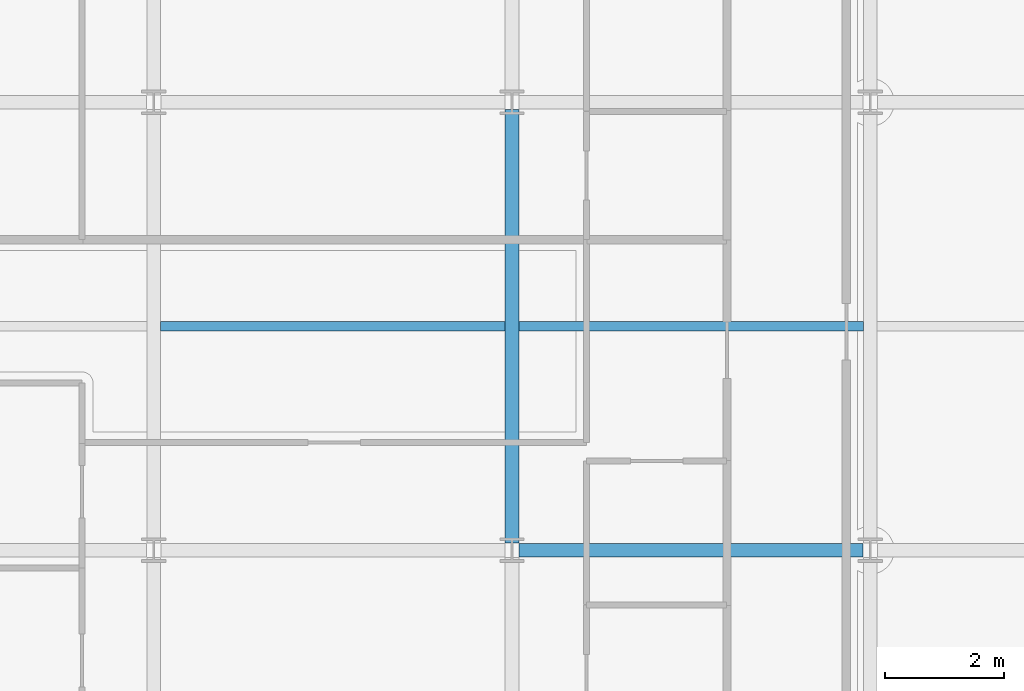
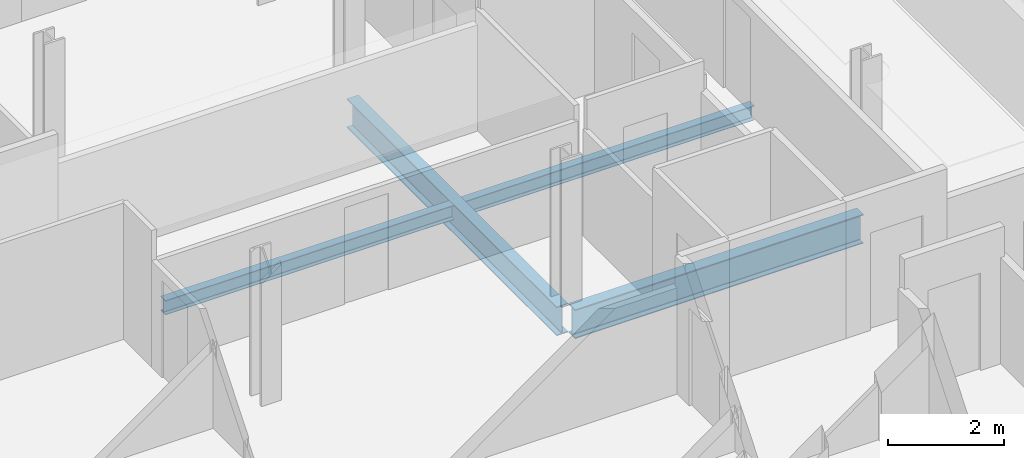
# One storey, part 8 of 41: 4 beams.
"""IFC4 building model written with IfcOpenShell, lengths in metres."""

import ifcopenshell
import ifcopenshell.guid

model = None  # the IFC model being written
_history = None  # IfcOwnerHistory: only IFC2X3 demands one
_inside = {}  # id of a spatial element -> (the spatial element, [elements in it])
_under = {}  # id of a project, library or spatial element -> (it, [spatial elements below it])
_declared = {}  # id of a project -> (the project, [libraries it declares])
_typed = {}  # id of a type object -> (the type object, [elements of that type])
_made_of = {}  # id of a material, layer set ... -> (it, [elements and type objects made of it])


def new_model(schema):
    """Start an empty IFC model of exactly this schema.

    Asked for "IFC4X3", IfcOpenShell would pick the latest addendum, in which some entities
    have other attributes; the version numbers below select the first issue.
    IFC2X3 requires an IfcOwnerHistory on every rooted entity: one is made here for all.
    """
    global model, _history
    if schema == "IFC4X3":
        model = ifcopenshell.file(schema_version=(4, 3, 0, 0))
    else:
        model = ifcopenshell.file(schema=schema)
    _inside.clear()
    _under.clear()
    _declared.clear()
    _typed.clear()
    _made_of.clear()
    _history = None
    if model.schema == "IFC2X3":
        org = make("IfcOrganization", Name="unknown")
        user = make(
            "IfcPersonAndOrganization",
            ThePerson=make("IfcPerson", FamilyName="unknown"),
            TheOrganization=org,
        )
        app = make(
            "IfcApplication",
            ApplicationDeveloper=org,
            Version="unknown",
            ApplicationFullName="unknown",
            ApplicationIdentifier="unknown",
        )
        _history = make(
            "IfcOwnerHistory",
            OwningUser=user,
            OwningApplication=app,
            ChangeAction="ADDED",
            CreationDate=0,
        )
    return model


def make(cls, **values):
    """One entity of the class cls with the attributes given. An attribute that is None is left unset."""
    return model.create_entity(
        cls, **{name: value for name, value in values.items() if value is not None}
    )


def rooted(cls, **values):
    """An entity with a GlobalId (a new one), such as an element, a storey or a relation."""
    return make(cls, GlobalId=ifcopenshell.guid.new(), OwnerHistory=_history, **values)


def si_unit(unit_type, name, prefix=None):
    """IfcSIUnit, for example si_unit("LENGTHUNIT", "METRE", prefix="MILLI")."""
    return make("IfcSIUnit", UnitType=unit_type, Prefix=prefix, Name=name)


def assignment(units):
    """IfcUnitAssignment: the units of a project."""
    return None if units is None else make("IfcUnitAssignment", Units=units)


def point(xyz):
    """IfcCartesianPoint."""
    return None if xyz is None else make("IfcCartesianPoint", Coordinates=xyz)


def direction(xyz):
    """IfcDirection."""
    return None if xyz is None else make("IfcDirection", DirectionRatios=xyz)


def frame(location, z_axis=None, x_axis=None):
    """IfcAxis2Placement3D, a coordinate frame: its origin and axes. An axis left out is left unset."""
    return make(
        "IfcAxis2Placement3D",
        Location=point(location),
        Axis=direction(z_axis),
        RefDirection=direction(x_axis),
    )


def frame_2d(location, x_axis=None):
    """IfcAxis2Placement2D, a coordinate frame in the plane: its origin and x axis."""
    return make(
        "IfcAxis2Placement2D", Location=point(location), RefDirection=direction(x_axis)
    )


def origin():
    """The frame at (0, 0, 0) with its axes left unset."""
    return frame((0.0, 0.0, 0.0))


def origin_2d():
    """The frame at (0, 0) in the plane with its x axis left unset."""
    return frame_2d((0.0, 0.0))


def place(relative_to, where):
    """IfcLocalPlacement: puts the frame where relative to a parent placement (None: the world)."""
    return make(
        "IfcLocalPlacement", PlacementRelTo=relative_to, RelativePlacement=where
    )


def context(
    kind, dimensions, precision=None, world=None, true_north=None, identifier=None
):
    """IfcGeometricRepresentationContext, for example the 3D "Model" context."""
    return make(
        "IfcGeometricRepresentationContext",
        ContextIdentifier=identifier,
        ContextType=kind,
        CoordinateSpaceDimension=dimensions,
        Precision=precision,
        WorldCoordinateSystem=world,
        TrueNorth=true_north,
    )


def subcontext(parent, identifier, kind, view, scale=None):
    """IfcGeometricRepresentationSubContext, for example "Body" below "Model"."""
    return make(
        "IfcGeometricRepresentationSubContext",
        ContextIdentifier=identifier,
        ContextType=kind,
        ParentContext=parent,
        TargetScale=scale,
        TargetView=view,
    )


def project(units=None, contexts=None):
    """IfcProject with its units and contexts."""
    return rooted(
        "IfcProject",
        Name="project",
        RepresentationContexts=contexts,
        UnitsInContext=assignment(units),
    )


def spatial(cls, under=None, at=None, **own):
    """A site, building, storey or space (cls), placed at a placement, below another one or the project."""
    s = rooted(cls, ObjectPlacement=at, **own)
    if under is not None:
        _under.setdefault(under.id(), (under, []))[1].append(s)
    return s


def profile(cls, at=None, kind="AREA", **sizes):
    """A parametric profile (cls). Its sizes go by their IFC names, for example OverallWidth=200.0."""
    return make(cls, ProfileType=kind, Position=at, **sizes)


def i_section(**sizes):
    """IfcIShapeProfileDef."""
    return profile("IfcIShapeProfileDef", **sizes)


def extrude(swept, where, along, depth):
    """IfcExtrudedAreaSolid: the profile swept, set in the frame where, extruded along a direction by depth."""
    return make(
        "IfcExtrudedAreaSolid",
        SweptArea=swept,
        Position=where,
        ExtrudedDirection=direction(along),
        Depth=depth,
    )


def shape(context_of_items, identifier, shape_type, items):
    """IfcShapeRepresentation: the items that make up one representation, for example the "Body"."""
    return make(
        "IfcShapeRepresentation",
        ContextOfItems=context_of_items,
        RepresentationIdentifier=identifier,
        RepresentationType=shape_type,
        Items=items,
    )


def material(Name=None, Category=None):
    """IfcMaterial."""
    return make("IfcMaterial", Name=Name, Category=Category)


def material_profile(
    of_material, cross_section, Name=None, Category=None, Priority=None
):
    """IfcMaterialProfile: a cross section and its material."""
    return make(
        "IfcMaterialProfile",
        Name=Name,
        Material=of_material,
        Profile=cross_section,
        Priority=Priority,
        Category=Category,
    )


def profile_set(profiles, Name=None, composite=None):
    """IfcMaterialProfileSet."""
    return make(
        "IfcMaterialProfileSet",
        Name=Name,
        MaterialProfiles=profiles,
        CompositeProfile=composite,
    )


def made_of(thing, what):
    """Note that an element or type object is made of a material, layer set ...; save() writes the relation."""
    if what is not None:
        _made_of.setdefault(what.id(), (what, []))[1].append(thing)
    return thing


def type_object(cls, material=None, **own):
    """A type object (cls), such as IfcWallType, which elements share."""
    return made_of(rooted(cls, **own), material)


def element(
    cls,
    number,
    at=None,
    inside=None,
    cuts=None,
    type_object=None,
    material=None,
    context=None,
    identifier="Body",
    shape_type=None,
    held_by="IfcProductDefinitionShape",
    body=None,
    shapes=None,
    **own,
):
    """One element of the class cls, such as IfcWall. Its Tag is "e" and its number.

    at: its placement. inside: the storey or other place that contains it. cuts: it is an
    opening in that element (IfcRelVoidsElement). A single representation is given by context,
    identifier, shape_type and body (its items); several are given by shapes. held_by: the class
    of the entity that holds the representations. save() writes the other relations.
    """
    e = rooted(cls, Tag="e%d" % number, ObjectPlacement=at, **own)
    if body is not None:
        shapes = [shape(context, identifier, shape_type, body)]
    if shapes is not None:
        e.Representation = make(held_by, Representations=shapes)
    if inside is not None:
        _inside.setdefault(inside.id(), (inside, []))[1].append(e)
    if cuts is not None:
        rooted(
            "IfcRelVoidsElement", RelatingBuildingElement=cuts, RelatedOpeningElement=e
        )
    if type_object is not None:
        _typed.setdefault(type_object.id(), (type_object, []))[1].append(e)
    return made_of(e, material)


def aggregate(whole, parts):
    """IfcRelAggregates: a whole, such as a stair, and the parts it consists of."""
    return rooted("IfcRelAggregates", RelatingObject=whole, RelatedObjects=parts)


def save(model, path):
    """Write the relations noted so far, then the file.

    IfcRelAggregates (storeys below a building ...), IfcRelContainedInSpatialStructure (elements
    in a storey), IfcRelDefinesByType, IfcRelAssociatesMaterial and IfcRelDeclares: one each for
    every whole, place, type object, material and project.
    """
    for whole, parts in _under.values():
        aggregate(whole, parts)
    for where, things in _inside.values():
        rooted(
            "IfcRelContainedInSpatialStructure",
            RelatedElements=things,
            RelatingStructure=where,
        )
    for kind, things in _typed.values():
        rooted("IfcRelDefinesByType", RelatedObjects=things, RelatingType=kind)
    for what, things in _made_of.values():
        rooted("IfcRelAssociatesMaterial", RelatedObjects=things, RelatingMaterial=what)
    for by, libraries in _declared.values():
        rooted("IfcRelDeclares", RelatingContext=by, RelatedDefinitions=libraries)
    model.write(path)


model = new_model("IFC4")

# Units and contexts
model_context = context("Model", 3, precision=1e-05, world=origin(), true_north=direction((0.0, 1.0)))
body_context = subcontext(model_context, "Body", "Model", "MODEL_VIEW")
ifc_project = project(units=[si_unit("LENGTHUNIT", "METRE"), si_unit("AREAUNIT", "SQUARE_METRE"), si_unit("VOLUMEUNIT", "CUBIC_METRE"), si_unit("PLANEANGLEUNIT", "RADIAN"), si_unit("MASSUNIT", "GRAM", prefix="KILO")], contexts=[model_context])

# Site, building, storey
site_placement = place(None, origin())
site = spatial("IfcSite", under=ifc_project, at=site_placement, CompositionType="ELEMENT")
building_placement = place(site_placement, origin())
building = spatial("IfcBuilding", under=site, at=building_placement, Name="Brevholm Reach", CompositionType="ELEMENT")
storey_placement = place(building_placement, frame((0.0, 0.0, 163.5)))
storey = spatial("IfcBuildingStorey", under=building, at=storey_placement, Name="L49", CompositionType="ELEMENT", Elevation=163.5)

# Beams
ifc_material_1 = material(Name="Structural Steel S355J2", Category="steel")
ifc_material_profile_1 = material_profile(ifc_material_1, i_section(OverallWidth=0.1650390625, OverallDepth=0.303466796875, WebThickness=0.006103515625, FlangeThickness=0.01025390625, FilletRadius=0.0087890625, at=origin_2d()), Name="UKB 305x165x40")
ifc_profile_set_1 = profile_set([ifc_material_profile_1], Name="Structural Steel S355J2")
beam_type_1 = type_object("IfcBeamType", Name="BM-B305", PredefinedType="BEAM", material=ifc_profile_set_1)
for number, where, z_axis, x_axis, name in (
    (1, (6.114501953125, 19.75, -0.37158203125), (1.0, 0.0, 0.0), (0.0, 1.0, 0.0), "L49 Composite Secondary Floor Beam"),
    (2, (12.114501953125, 19.75, -0.37158203125), (1.0, 0.0, 0.0), (0.0, 1.0, 0.0), "L49 Composite Secondary Floor Beam"),
):
    element("IfcBeam", number, at=place(storey_placement, frame(where, z_axis=z_axis, x_axis=x_axis)), inside=storey, type_object=beam_type_1, Name=name, PredefinedType="BEAM", context=body_context, shape_type="SweptSolid", body=[
        extrude(i_section(OverallWidth=0.1650390625, OverallDepth=0.303466796875, WebThickness=0.006103515625, FlangeThickness=0.01025390625, FilletRadius=0.0087890625, at=origin_2d()), origin(), (0.0, 0.0, 1.0), 5.77099609375),
    ])
ifc_material_2 = material(Name="Structural Steel S355J2", Category="steel")
ifc_material_profile_2 = material_profile(ifc_material_2, i_section(OverallWidth=0.22900390625, OverallDepth=0.6123046875, WebThickness=0.011962890625, FlangeThickness=0.01953125, FilletRadius=0.0126953125, at=origin_2d()), Name="UKB 610x229x125")
ifc_profile_set_2 = profile_set([ifc_material_profile_2], Name="Structural Steel S355J2")
beam_type_2 = type_object("IfcBeamType", Name="BM-SP610", PredefinedType="SPANDREL", material=ifc_profile_set_2)
beam_1_placement = place(storey_placement, frame((12.1201171875, 16.0, -0.526123046875), z_axis=(1.0, 0.0, 0.0), x_axis=(0.0, 1.0, 0.0)))
element("IfcBeam", 3, at=beam_1_placement, inside=storey, type_object=beam_type_2, Name="L49 SP-01 Framing Beam", PredefinedType="SPANDREL", context=body_context, shape_type="SweptSolid", body=[
    extrude(i_section(OverallWidth=0.22900390625, OverallDepth=0.6123046875, WebThickness=0.011962890625, FlangeThickness=0.01953125, FilletRadius=0.0126953125, at=origin_2d()), origin(), (0.0, 0.0, 1.0), 5.759765625),
])
beam_2_placement = place(storey_placement, frame((12.0, 16.1201171875, -0.526123046875), z_axis=(0.0, 1.0, 0.0), x_axis=(-1.0, 0.0, 0.0)))
element("IfcBeam", 4, at=beam_2_placement, inside=storey, type_object=beam_type_2, Name="L49 SP-01 Framing Beam", PredefinedType="SPANDREL", context=body_context, shape_type="SweptSolid", body=[
    extrude(i_section(OverallWidth=0.22900390625, OverallDepth=0.6123046875, WebThickness=0.011962890625, FlangeThickness=0.01953125, FilletRadius=0.0126953125, at=origin_2d()), origin(), (0.0, 0.0, 1.0), 7.259765625),
])

save(model, "model.ifc")
